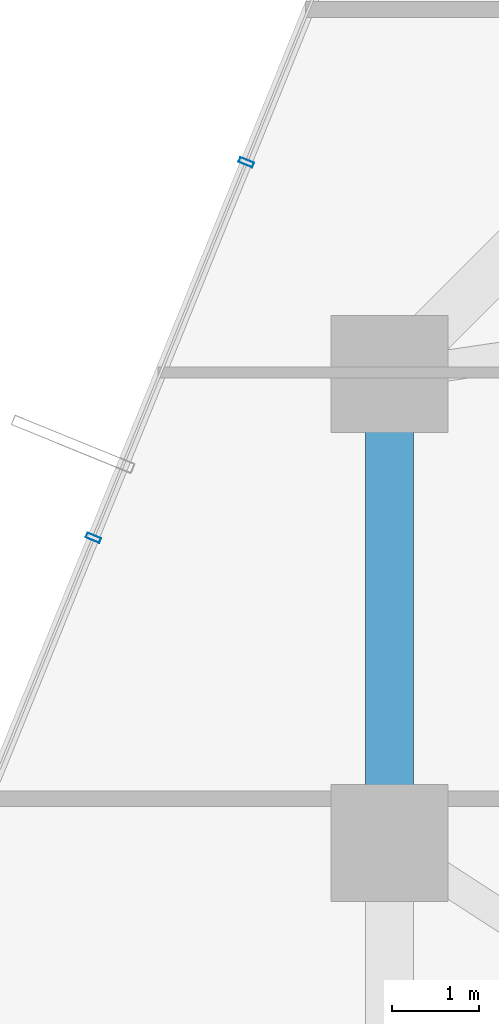
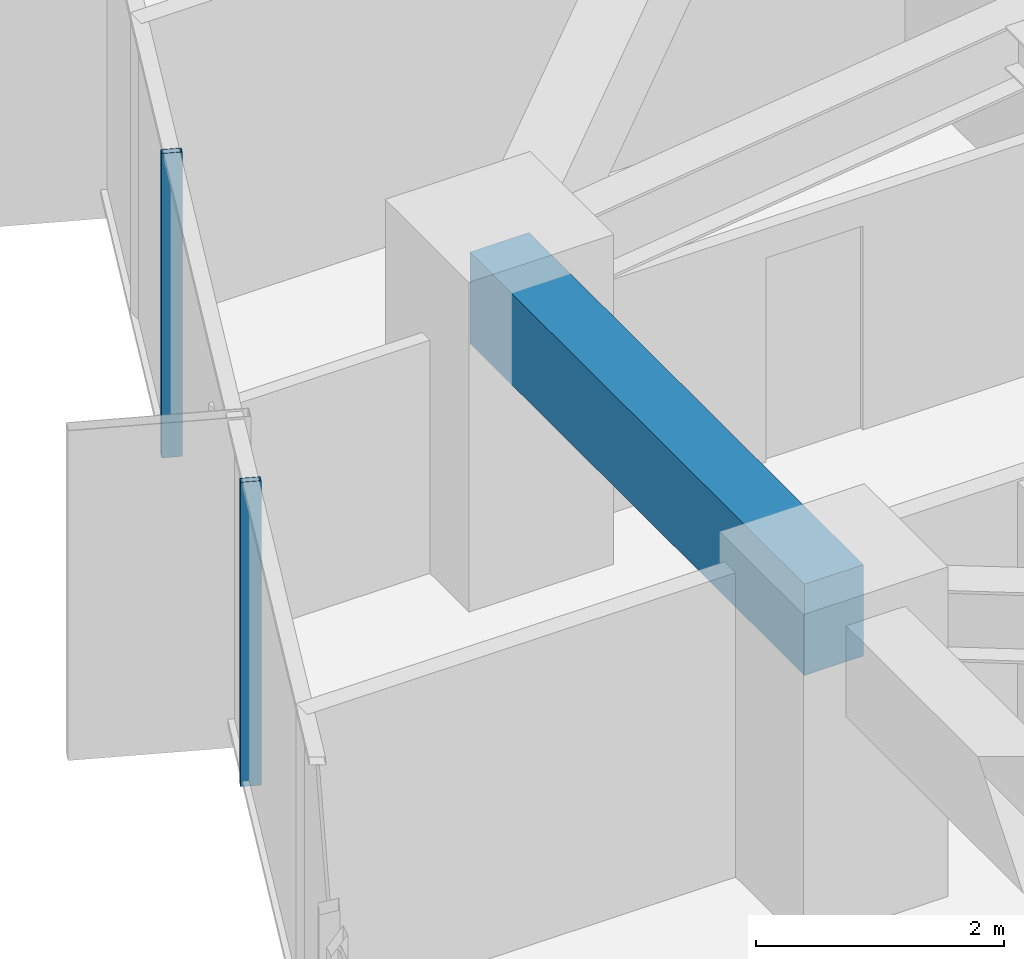
# One storey, part 12 of 37: 2 members, 1 beam, 1 element without a shape of its own.
"""IFC4 building model written with IfcOpenShell, lengths in metres."""

import ifcopenshell
import ifcopenshell.guid

model = None  # the IFC model being written
_history = None  # IfcOwnerHistory: only IFC2X3 demands one
_inside = {}  # id of a spatial element -> (the spatial element, [elements in it])
_under = {}  # id of a project, library or spatial element -> (it, [spatial elements below it])
_declared = {}  # id of a project -> (the project, [libraries it declares])
_typed = {}  # id of a type object -> (the type object, [elements of that type])
_made_of = {}  # id of a material, layer set ... -> (it, [elements and type objects made of it])


def new_model(schema):
    """Start an empty IFC model of exactly this schema.

    Asked for "IFC4X3", IfcOpenShell would pick the latest addendum, in which some entities
    have other attributes; the version numbers below select the first issue.
    IFC2X3 requires an IfcOwnerHistory on every rooted entity: one is made here for all.
    """
    global model, _history
    if schema == "IFC4X3":
        model = ifcopenshell.file(schema_version=(4, 3, 0, 0))
    else:
        model = ifcopenshell.file(schema=schema)
    _inside.clear()
    _under.clear()
    _declared.clear()
    _typed.clear()
    _made_of.clear()
    _history = None
    if model.schema == "IFC2X3":
        org = make("IfcOrganization", Name="unknown")
        user = make(
            "IfcPersonAndOrganization",
            ThePerson=make("IfcPerson", FamilyName="unknown"),
            TheOrganization=org,
        )
        app = make(
            "IfcApplication",
            ApplicationDeveloper=org,
            Version="unknown",
            ApplicationFullName="unknown",
            ApplicationIdentifier="unknown",
        )
        _history = make(
            "IfcOwnerHistory",
            OwningUser=user,
            OwningApplication=app,
            ChangeAction="ADDED",
            CreationDate=0,
        )
    return model


def make(cls, **values):
    """One entity of the class cls with the attributes given. An attribute that is None is left unset."""
    return model.create_entity(
        cls, **{name: value for name, value in values.items() if value is not None}
    )


def rooted(cls, **values):
    """An entity with a GlobalId (a new one), such as an element, a storey or a relation."""
    return make(cls, GlobalId=ifcopenshell.guid.new(), OwnerHistory=_history, **values)


def si_unit(unit_type, name, prefix=None):
    """IfcSIUnit, for example si_unit("LENGTHUNIT", "METRE", prefix="MILLI")."""
    return make("IfcSIUnit", UnitType=unit_type, Prefix=prefix, Name=name)


def assignment(units):
    """IfcUnitAssignment: the units of a project."""
    return None if units is None else make("IfcUnitAssignment", Units=units)


def point(xyz):
    """IfcCartesianPoint."""
    return None if xyz is None else make("IfcCartesianPoint", Coordinates=xyz)


def direction(xyz):
    """IfcDirection."""
    return None if xyz is None else make("IfcDirection", DirectionRatios=xyz)


def frame(location, z_axis=None, x_axis=None):
    """IfcAxis2Placement3D, a coordinate frame: its origin and axes. An axis left out is left unset."""
    return make(
        "IfcAxis2Placement3D",
        Location=point(location),
        Axis=direction(z_axis),
        RefDirection=direction(x_axis),
    )


def frame_2d(location, x_axis=None):
    """IfcAxis2Placement2D, a coordinate frame in the plane: its origin and x axis."""
    return make(
        "IfcAxis2Placement2D", Location=point(location), RefDirection=direction(x_axis)
    )


def origin():
    """The frame at (0, 0, 0) with its axes left unset."""
    return frame((0.0, 0.0, 0.0))


def origin_2d():
    """The frame at (0, 0) in the plane with its x axis left unset."""
    return frame_2d((0.0, 0.0))


def place(relative_to, where):
    """IfcLocalPlacement: puts the frame where relative to a parent placement (None: the world)."""
    return make(
        "IfcLocalPlacement", PlacementRelTo=relative_to, RelativePlacement=where
    )


def context(
    kind, dimensions, precision=None, world=None, true_north=None, identifier=None
):
    """IfcGeometricRepresentationContext, for example the 3D "Model" context."""
    return make(
        "IfcGeometricRepresentationContext",
        ContextIdentifier=identifier,
        ContextType=kind,
        CoordinateSpaceDimension=dimensions,
        Precision=precision,
        WorldCoordinateSystem=world,
        TrueNorth=true_north,
    )


def subcontext(parent, identifier, kind, view, scale=None):
    """IfcGeometricRepresentationSubContext, for example "Body" below "Model"."""
    return make(
        "IfcGeometricRepresentationSubContext",
        ContextIdentifier=identifier,
        ContextType=kind,
        ParentContext=parent,
        TargetScale=scale,
        TargetView=view,
    )


def project(units=None, contexts=None):
    """IfcProject with its units and contexts."""
    return rooted(
        "IfcProject",
        Name="project",
        RepresentationContexts=contexts,
        UnitsInContext=assignment(units),
    )


def spatial(cls, under=None, at=None, **own):
    """A site, building, storey or space (cls), placed at a placement, below another one or the project."""
    s = rooted(cls, ObjectPlacement=at, **own)
    if under is not None:
        _under.setdefault(under.id(), (under, []))[1].append(s)
    return s


def profile(cls, at=None, kind="AREA", **sizes):
    """A parametric profile (cls). Its sizes go by their IFC names, for example OverallWidth=200.0."""
    return make(cls, ProfileType=kind, Position=at, **sizes)


def rectangle(**sizes):
    """IfcRectangleProfileDef."""
    return profile("IfcRectangleProfileDef", **sizes)


def hollow_rectangle(**sizes):
    """IfcRectangleHollowProfileDef."""
    return profile("IfcRectangleHollowProfileDef", **sizes)


def extrude(swept, where, along, depth):
    """IfcExtrudedAreaSolid: the profile swept, set in the frame where, extruded along a direction by depth."""
    return make(
        "IfcExtrudedAreaSolid",
        SweptArea=swept,
        Position=where,
        ExtrudedDirection=direction(along),
        Depth=depth,
    )


def shape(context_of_items, identifier, shape_type, items):
    """IfcShapeRepresentation: the items that make up one representation, for example the "Body"."""
    return make(
        "IfcShapeRepresentation",
        ContextOfItems=context_of_items,
        RepresentationIdentifier=identifier,
        RepresentationType=shape_type,
        Items=items,
    )


def source(mapping_origin, context_of_items, identifier, shape_type, items):
    """IfcRepresentationMap: a shape defined once, which mapped items show again and again."""
    return make(
        "IfcRepresentationMap",
        MappingOrigin=mapping_origin,
        MappedRepresentation=shape(context_of_items, identifier, shape_type, items),
    )


def transform(
    local_origin,
    x_axis=None,
    y_axis=None,
    z_axis=None,
    scale=None,
    scale2=None,
    scale3=None,
    uniform=True,
):
    """IfcCartesianTransformationOperator3D, or its non-uniform kind. x_axis, y_axis, z_axis: its Axis1, 2, 3."""
    if uniform:
        return make(
            "IfcCartesianTransformationOperator3D",
            Axis1=direction(x_axis),
            Axis2=direction(y_axis),
            LocalOrigin=point(local_origin),
            Scale=scale,
            Axis3=direction(z_axis),
        )
    return make(
        "IfcCartesianTransformationOperator3DnonUniform",
        Axis1=direction(x_axis),
        Axis2=direction(y_axis),
        LocalOrigin=point(local_origin),
        Scale=scale,
        Axis3=direction(z_axis),
        Scale2=scale2,
        Scale3=scale3,
    )


def mapped(mapping_source, mapping_target):
    """IfcMappedItem: shows the shape of a source again, moved by a transform."""
    return make(
        "IfcMappedItem", MappingSource=mapping_source, MappingTarget=mapping_target
    )


def material(Name=None, Category=None):
    """IfcMaterial."""
    return make("IfcMaterial", Name=Name, Category=Category)


def layer(
    of_material, thickness, ventilated=None, Name=None, Category=None, Priority=None
):
    """IfcMaterialLayer: one layer of a wall or slab, of a material (None: an air gap)."""
    return make(
        "IfcMaterialLayer",
        Material=of_material,
        LayerThickness=thickness,
        IsVentilated=ventilated,
        Name=Name,
        Category=Category,
        Priority=Priority,
    )


def layer_set(layers, Name=None):
    """IfcMaterialLayerSet."""
    return make("IfcMaterialLayerSet", MaterialLayers=layers, LayerSetName=Name)


def material_profile(
    of_material, cross_section, Name=None, Category=None, Priority=None
):
    """IfcMaterialProfile: a cross section and its material."""
    return make(
        "IfcMaterialProfile",
        Name=Name,
        Material=of_material,
        Profile=cross_section,
        Priority=Priority,
        Category=Category,
    )


def profile_set(profiles, Name=None, composite=None):
    """IfcMaterialProfileSet."""
    return make(
        "IfcMaterialProfileSet",
        Name=Name,
        MaterialProfiles=profiles,
        CompositeProfile=composite,
    )


def made_of(thing, what):
    """Note that an element or type object is made of a material, layer set ...; save() writes the relation."""
    if what is not None:
        _made_of.setdefault(what.id(), (what, []))[1].append(thing)
    return thing


def type_object(cls, material=None, **own):
    """A type object (cls), such as IfcWallType, which elements share."""
    return made_of(rooted(cls, **own), material)


def element(
    cls,
    number,
    at=None,
    inside=None,
    cuts=None,
    type_object=None,
    material=None,
    context=None,
    identifier="Body",
    shape_type=None,
    held_by="IfcProductDefinitionShape",
    body=None,
    shapes=None,
    **own,
):
    """One element of the class cls, such as IfcWall. Its Tag is "e" and its number.

    at: its placement. inside: the storey or other place that contains it. cuts: it is an
    opening in that element (IfcRelVoidsElement). A single representation is given by context,
    identifier, shape_type and body (its items); several are given by shapes. held_by: the class
    of the entity that holds the representations. save() writes the other relations.
    """
    e = rooted(cls, Tag="e%d" % number, ObjectPlacement=at, **own)
    if body is not None:
        shapes = [shape(context, identifier, shape_type, body)]
    if shapes is not None:
        e.Representation = make(held_by, Representations=shapes)
    if inside is not None:
        _inside.setdefault(inside.id(), (inside, []))[1].append(e)
    if cuts is not None:
        rooted(
            "IfcRelVoidsElement", RelatingBuildingElement=cuts, RelatedOpeningElement=e
        )
    if type_object is not None:
        _typed.setdefault(type_object.id(), (type_object, []))[1].append(e)
    return made_of(e, material)


def aggregate(whole, parts):
    """IfcRelAggregates: a whole, such as a stair, and the parts it consists of."""
    return rooted("IfcRelAggregates", RelatingObject=whole, RelatedObjects=parts)


def save(model, path):
    """Write the relations noted so far, then the file.

    IfcRelAggregates (storeys below a building ...), IfcRelContainedInSpatialStructure (elements
    in a storey), IfcRelDefinesByType, IfcRelAssociatesMaterial and IfcRelDeclares: one each for
    every whole, place, type object, material and project.
    """
    for whole, parts in _under.values():
        aggregate(whole, parts)
    for where, things in _inside.values():
        rooted(
            "IfcRelContainedInSpatialStructure",
            RelatedElements=things,
            RelatingStructure=where,
        )
    for kind, things in _typed.values():
        rooted("IfcRelDefinesByType", RelatedObjects=things, RelatingType=kind)
    for what, things in _made_of.values():
        rooted("IfcRelAssociatesMaterial", RelatedObjects=things, RelatingMaterial=what)
    for by, libraries in _declared.values():
        rooted("IfcRelDeclares", RelatingContext=by, RelatedDefinitions=libraries)
    model.write(path)


model = new_model("IFC4")

# Units and contexts
model_context = context("Model", 3, precision=1e-05, world=origin(), true_north=direction((0.0, 1.0)))
body_context = subcontext(model_context, "Body", "Model", "MODEL_VIEW")
ifc_project = project(units=[si_unit("LENGTHUNIT", "METRE"), si_unit("AREAUNIT", "SQUARE_METRE"), si_unit("VOLUMEUNIT", "CUBIC_METRE"), si_unit("PLANEANGLEUNIT", "RADIAN"), si_unit("MASSUNIT", "GRAM", prefix="KILO")], contexts=[model_context])

# Site, building, storey
site_placement = place(None, origin())
site = spatial("IfcSite", under=ifc_project, at=site_placement, CompositionType="ELEMENT")
building_placement = place(site_placement, origin())
building = spatial("IfcBuilding", under=site, at=building_placement, Name="Veraguas Prism Commons", CompositionType="ELEMENT")
storey_placement = place(building_placement, frame((0.0, 0.0, 50.050048828125)))
storey = spatial("IfcBuildingStorey", under=building, at=storey_placement, Name="L13", CompositionType="ELEMENT", Elevation=50.050048828125)

# Beam
ifc_material_1 = material(Name="Concrete C50/60", Category="concrete")
ifc_material_profile_1 = material_profile(ifc_material_1, rectangle(XDim=0.550048828125, YDim=0.89990234375, at=origin_2d()), Name="RC550X900")
ifc_profile_set_1 = profile_set([ifc_material_profile_1], Name="Concrete C50/60")
beam_type = type_object("IfcBeamType", Name="Perimeter Spandrel Lower RC 550x900", PredefinedType="SPANDREL", material=ifc_profile_set_1)
beam_placement = place(storey_placement, frame((6.39990234375, 29.39990234375, 2.550048828125), z_axis=(0.0, -1.0, 0.0), x_axis=(1.0, 0.0, 0.0)))
element("IfcBeam", 1, at=beam_placement, inside=storey, type_object=beam_type, Name="Perimeter Spandrel Beam L13-SP07", PredefinedType="SPANDREL", context=body_context, shape_type="SweptSolid", body=[
    extrude(rectangle(XDim=0.550048828125, YDim=0.89990234375, at=origin_2d()), origin(), (0.0, 0.0, 1.0), 5.39990234375),
])

# Curtain wall, members
ifc_material_2 = material(Name="Anodised aluminium EN AW-6063 T6", Category="aluminium")
ifc_layer = layer(ifc_material_2, 0.169921875, Name="Unitised Flush Curtain Wall Zone 1", Category="aluminium")
ifc_layer_set = layer_set([ifc_layer], Name="Anodised aluminium EN AW-6063 T6")
curtain_wall_type = type_object("IfcCurtainWallType", Name="Unitised Flush Curtain Wall Zone 1", PredefinedType="NOTDEFINED", material=ifc_layer_set)
curtain_wall_placement = place(storey_placement, origin())
curtain_wall = element("IfcCurtainWall", 2, at=curtain_wall_placement, inside=storey, type_object=curtain_wall_type, Name="Tower Facade Curtain Wall L13-F3", PredefinedType="NOTDEFINED")
ifc_material_profile_2 = material_profile(ifc_material_2, hollow_rectangle(XDim=0.06005859375, YDim=0.169921875, WallThickness=0.00390625, at=origin_2d()), Name="AL60X170X4")
ifc_profile_set_2 = profile_set([ifc_material_profile_2], Name="Anodised aluminium EN AW-6063 T6")
member_type = type_object("IfcMemberType", Name="Curtain Wall Mullion Lower AL 60x170x4", PredefinedType="MULLION", material=ifc_profile_set_2)
shared_shape = source(origin(), body_context, "Body", "SweptSolid", [
    extrude(hollow_rectangle(XDim=0.06005859375, YDim=0.169921875, WallThickness=0.00390625, at=origin_2d()), origin(), (0.0, 0.0, 1.0), 3.0),
])
member_1_placement = place(storey_placement, frame((4.750732421875, 31.83984375, 0.0), z_axis=(0.0, 0.0, 1.0), x_axis=(-0.377197548003, -0.926132825128, 0.0)))
member_1 = element("IfcMember", 3, at=member_1_placement, type_object=member_type, Name="CW-Z1 Mullion 3", PredefinedType="MULLION", context=body_context, shape_type="MappedRepresentation", body=[
    mapped(shared_shape, transform((0.0, 0.0, 0.0), scale=1.0)),
])
member_2_placement = place(storey_placement, frame((2.98876953125, 27.513916015625, 0.0), z_axis=(0.0, 0.0, 1.0), x_axis=(-0.377197548003, -0.926132825128, 0.0)))
member_2 = element("IfcMember", 4, at=member_2_placement, type_object=member_type, Name="CW-Z1 Mullion 4", PredefinedType="MULLION", context=body_context, shape_type="MappedRepresentation", body=[
    mapped(shared_shape, transform((0.0, 0.0, 0.0), scale=1.0)),
])
aggregate(curtain_wall, [member_1, member_2])

save(model, "model.ifc")
